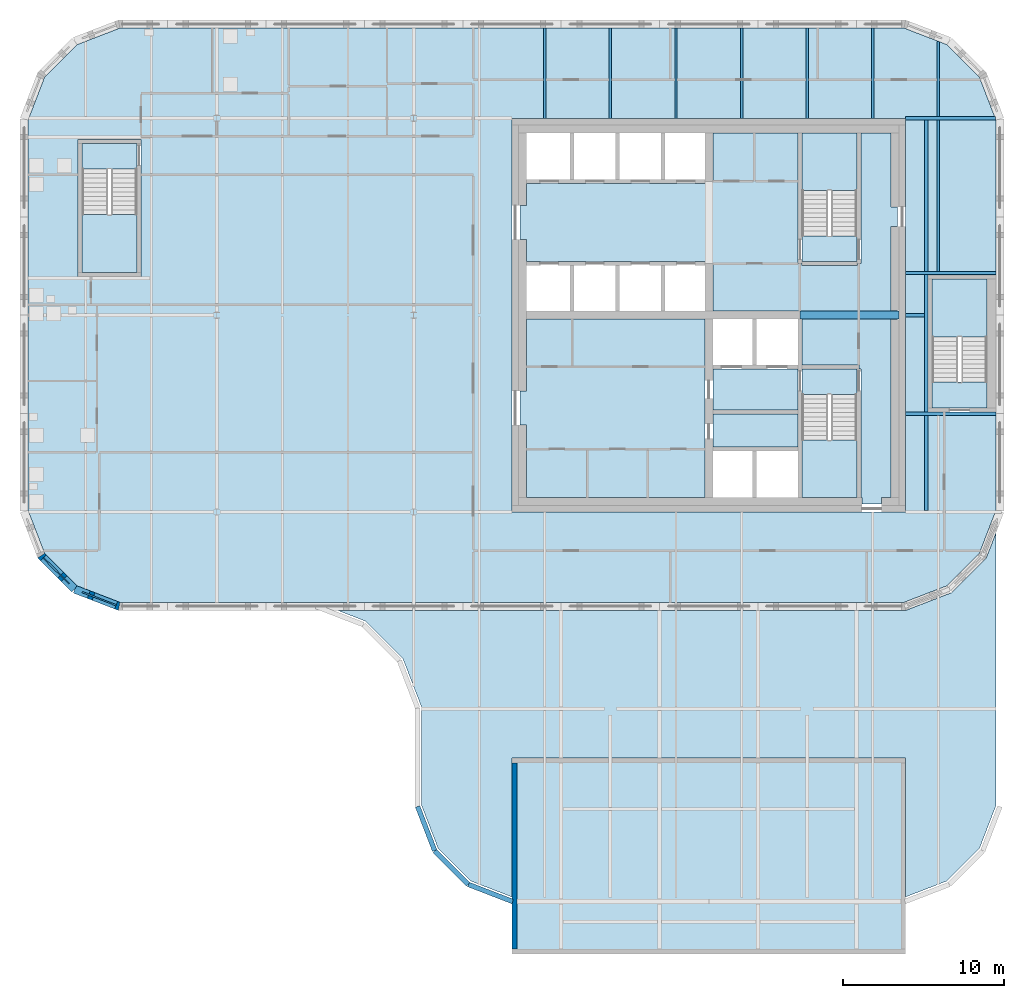
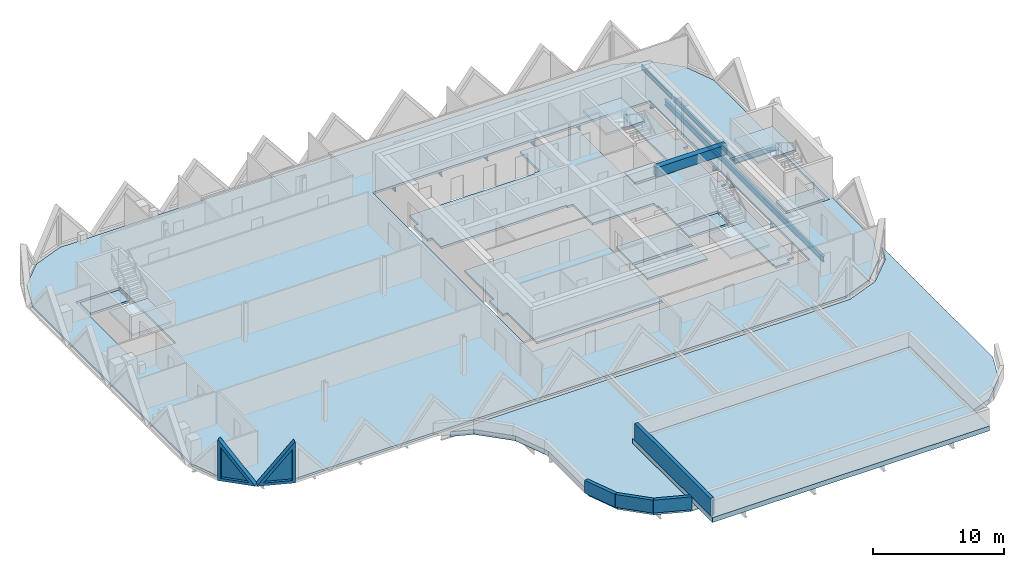
# One storey, part 3 of 12: 15 slabs, 14 beams, 6 walls, 2 plates, 2 openings, 4 elements without a shape of their own.
"""IFC4 building model written with IfcOpenShell, lengths in metres."""

from ifc_helpers import new_model, si_unit, direction, frame, frame_2d, origin, origin_2d, place, context, subcontext, project, spatial, polyline, rectangle, i_section, outline, extrude, faceted_brep, source, transform, mapped, material, layer, layer_set, material_profile, profile_set, type_object, element, fill, aggregate, save


model = new_model("IFC4")

# Units and contexts
model_context = context("Model", 3, precision=1e-05, world=origin(), true_north=direction((0.0, 1.0)))
body_context = subcontext(model_context, "Body", "Model", "MODEL_VIEW")
ifc_project = project(units=[si_unit("LENGTHUNIT", "METRE"), si_unit("AREAUNIT", "SQUARE_METRE"), si_unit("VOLUMEUNIT", "CUBIC_METRE"), si_unit("PLANEANGLEUNIT", "RADIAN"), si_unit("MASSUNIT", "GRAM", prefix="KILO")], contexts=[model_context])

# Site, building, storey
site_placement = place(None, origin())
site = spatial("IfcSite", under=ifc_project, at=site_placement, CompositionType="ELEMENT")
building_placement = place(site_placement, origin())
building = spatial("IfcBuilding", under=site, at=building_placement, Name="Tessera Gate Towers", CompositionType="ELEMENT")
storey_placement = place(building_placement, frame((0.0, 0.0, 236.89990234375)))
storey = spatial("IfcBuildingStorey", under=building, at=storey_placement, Name="L59", CompositionType="ELEMENT", Elevation=236.89990234375)

# Beams
ifc_material_1 = material(Name="Concrete C40/50", Category="concrete")
ifc_material_profile_1 = material_profile(ifc_material_1, rectangle(XDim=0.5, YDim=0.89990234375, at=origin_2d()), Name="RC 500x900")
ifc_profile_set_1 = profile_set([ifc_material_profile_1], Name="Concrete C40/50")
beam_type_1 = type_object("IfcBeamType", Name="COUPLING BEAM 500x900 C40/50", PredefinedType="BEAM", material=ifc_profile_set_1)
beam_1_placement = place(storey_placement, frame((48.35009765625, 36.60009765625, 3.150146484375), z_axis=(1.0, 0.0, 0.0), x_axis=(0.0, 1.0, 0.0)))
element("IfcBeam", 1, at=beam_1_placement, inside=storey, type_object=beam_type_1, Name="L59 coupling beam 1", PredefinedType="BEAM", context=body_context, shape_type="SweptSolid", body=[
    extrude(rectangle(XDim=0.5, YDim=0.89990234375, at=origin_2d()), origin(), (0.0, 0.0, 1.0), 6.14990234375),
])
ifc_material_2 = material(Name="Steel 350W", Category="steel")
ifc_material_profile_2 = material_profile(ifc_material_2, i_section(OverallWidth=0.208984375, OverallDepth=0.532958984375, WebThickness=0.01025390625, FlangeThickness=0.015625, at=origin_2d()), Name="W530x92")
ifc_profile_set_2 = profile_set([ifc_material_profile_2], Name="Steel 350W")
beam_type_2 = type_object("IfcBeamType", Name="FLOOR GIRDER W530x92", PredefinedType="BEAM", material=ifc_profile_set_2)
beam_2_placement = place(storey_placement, frame((54.89892578125, 36.60009765625, -0.46630859375), z_axis=(1.0, 0.0, 0.0), x_axis=(0.0, 1.0, 0.0)))
element("IfcBeam", 2, at=beam_2_placement, inside=storey, type_object=beam_type_2, Name="T1-GD-L59-5933", PredefinedType="BEAM", context=body_context, shape_type="SweptSolid", body=[
    extrude(i_section(OverallWidth=0.208984375, OverallDepth=0.532958984375, WebThickness=0.01025390625, FlangeThickness=0.015625, at=origin_2d()), origin(), (0.0, 0.0, 1.0), 1.176513671875),
])
beam_3_placement = place(storey_placement, frame((54.90087890625, 48.800048828125, -0.46630859375), z_axis=(1.0, 0.0, 0.0), x_axis=(0.0, 1.0, 0.0)))
element("IfcBeam", 3, at=beam_3_placement, inside=storey, type_object=beam_type_2, Name="T1-GD-L59-5937", PredefinedType="BEAM", context=body_context, shape_type="SweptSolid", body=[
    extrude(i_section(OverallWidth=0.208984375, OverallDepth=0.532958984375, WebThickness=0.01025390625, FlangeThickness=0.015625, at=origin_2d()), origin(), (0.0, 0.0, 1.0), 5.564208984375),
])
for number, where, z_axis, x_axis, name in (
    (4, (54.89892578125, 30.47998046875, -0.46630859375), (1.0, 0.0, 0.0), (0.0, 1.0, 0.0), "T1-GD-L59-5948"),
    (5, (54.89892578125, 39.219970703125, -0.46630859375), (1.0, 0.0, 0.0), (0.0, 1.0, 0.0), "T1-GD-L59-5949"),
):
    element("IfcBeam", number, at=place(storey_placement, frame(where, z_axis=z_axis, x_axis=x_axis)), inside=storey, type_object=beam_type_2, Name=name, PredefinedType="BEAM", context=body_context, shape_type="SweptSolid", body=[
        extrude(i_section(OverallWidth=0.208984375, OverallDepth=0.532958984375, WebThickness=0.01025390625, FlangeThickness=0.015625, at=origin_2d()), origin(), (0.0, 0.0, 1.0), 5.60205078125),
    ])
beam_4_placement = place(storey_placement, frame((56.179931640625, 24.50439453125, -0.46630859375), z_axis=(0.0, 1.0, 0.0), x_axis=(-1.0, 0.0, 0.0)))
element("IfcBeam", 6, at=beam_4_placement, inside=storey, type_object=beam_type_2, Name="T1-GD-L59-5950", PredefinedType="BEAM", context=body_context, shape_type="SweptSolid", body=[
    extrude(i_section(OverallWidth=0.208984375, OverallDepth=0.532958984375, WebThickness=0.01025390625, FlangeThickness=0.015625, at=origin_2d()), origin(), (0.0, 0.0, 1.0), 24.191162109375),
])
ifc_material_3 = material(Name="Steel 350W", Category="steel")
ifc_material_profile_3 = material_profile(ifc_material_3, i_section(OverallWidth=0.153076171875, OverallDepth=0.455078125, WebThickness=0.008056640625, FlangeThickness=0.01318359375, at=origin_2d()), Name="W460x60")
ifc_profile_set_3 = profile_set([ifc_material_profile_3], Name="Steel 350W")
beam_type_3 = type_object("IfcBeamType", Name="FLOOR SECONDARY W460x60", PredefinedType="BEAM", material=ifc_profile_set_3)
for number, where, z_axis, x_axis, name in (
    (7, (32.533203125, 48.800048828125, -0.427490234375), (0.0, 1.0, 0.0), (-1.0, 0.0, 0.0), "T1-BM-L59-5972"),
    (8, (36.60009765625, 48.800048828125, -0.427490234375), (0.0, 1.0, 0.0), (-1.0, 0.0, 0.0), "T1-BM-L59-5973"),
    (9, (40.666748046875, 48.800048828125, -0.427490234375), (0.0, 1.0, 0.0), (-1.0, 0.0, 0.0), "T1-BM-L59-5975"),
    (10, (44.7333984375, 48.800048828125, -0.427490234375), (0.0, 1.0, 0.0), (-1.0, 0.0, 0.0), "T1-BM-L59-5977"),
    (11, (48.800048828125, 48.800048828125, -0.427490234375), (0.0, 1.0, 0.0), (-1.0, 0.0, 0.0), "T1-BM-L59-5978"),
    (12, (52.86669921875, 48.800048828125, -0.427490234375), (0.0, 1.0, 0.0), (-1.0, 0.0, 0.0), "T1-BM-L59-5980"),
):
    element("IfcBeam", number, at=place(storey_placement, frame(where, z_axis=z_axis, x_axis=x_axis)), inside=storey, type_object=beam_type_3, Name=name, PredefinedType="BEAM", context=body_context, shape_type="SweptSolid", body=[
        extrude(i_section(OverallWidth=0.153076171875, OverallDepth=0.455078125, WebThickness=0.008056640625, FlangeThickness=0.01318359375, at=origin_2d()), origin(), (0.0, 0.0, 1.0), 5.599853515625),
    ])
beam_5_placement = place(storey_placement, frame((56.933349609375, 39.324462890625, -0.427490234375), z_axis=(0.0, 1.0, 0.0), x_axis=(-1.0, 0.0, 0.0)))
element("IfcBeam", 13, at=beam_5_placement, inside=storey, type_object=beam_type_3, Name="T1-BM-L59-5983", PredefinedType="BEAM", context=body_context, shape_type="SweptSolid", body=[
    extrude(i_section(OverallWidth=0.153076171875, OverallDepth=0.455078125, WebThickness=0.008056640625, FlangeThickness=0.01318359375, at=origin_2d()), origin(), (0.0, 0.0, 1.0), 9.37109375),
])
beam_6_placement = place(storey_placement, frame((56.933349609375, 48.904541015625, -0.427490234375), z_axis=(0.0, 1.0, 0.0), x_axis=(-1.0, 0.0, 0.0)))
element("IfcBeam", 14, at=beam_6_placement, inside=storey, type_object=beam_type_3, Name="T1-BM-L59-5984", PredefinedType="BEAM", context=body_context, shape_type="SweptSolid", body=[
    extrude(i_section(OverallWidth=0.153076171875, OverallDepth=0.455078125, WebThickness=0.008056640625, FlangeThickness=0.01318359375, at=origin_2d()), origin(), (0.0, 0.0, 1.0), 4.675048828125),
])

# Slabs
ifc_material_4 = material(Name="Concrete C35/45", Category="concrete")
ifc_layer_1 = layer(ifc_material_4, 0.199951171875)
ifc_layer_set_1 = layer_set([ifc_layer_1], Name="COMPOSITE FLOOR 200")
slab_type_1 = type_object("IfcSlabType", Name="COMPOSITE FLOOR 200", PredefinedType="FLOOR", material=ifc_layer_set_1)
slab_1_placement = place(storey_placement, frame((0.0, 0.0, -0.199951171875)))
element("IfcSlab", 15, at=slab_1_placement, inside=storey, type_object=slab_type_1, Name="T1-L59", PredefinedType="FLOOR", context=body_context, shape_type="SweptSolid", body=[
    extrude(outline(polyline([(0.5, 24.4931640625), (1.526123046875, 21.8330078125), (3.533203125, 19.826171875), (6.193115234375, 18.800048828125), (54.806884765625, 18.800048828125), (57.466796875, 19.826171875), (59.473876953125, 21.8330078125), (60.5, 24.4931640625), (60.5, 48.706787109375), (59.473876953125, 51.366943359375), (57.466796875, 53.373779296875), (54.806884765625, 54.39990234375), (6.193115234375, 54.39990234375), (3.533203125, 53.373779296875), (1.526123046875, 51.366943359375), (0.5, 48.706787109375), (0.5, 24.4931640625)]), holes=[polyline([(3.60009765625, 39.0), (3.60009765625, 47.5), (7.5, 47.5), (7.5, 39.0), (3.60009765625, 39.0)]), polyline([(30.5, 24.39990234375), (30.5, 48.800048828125), (54.89990234375, 48.800048828125), (54.89990234375, 24.39990234375), (30.5, 24.39990234375)]), polyline([(56.300048828125, 30.60009765625), (56.300048828125, 39.10009765625), (60.199951171875, 39.10009765625), (60.199951171875, 30.60009765625), (56.300048828125, 30.60009765625)])]), origin(), (0.0, 0.0, 1.0), 0.199951171875),
])
ifc_material_5 = material(Name="Concrete C40/50", Category="concrete")
ifc_layer_2 = layer(ifc_material_5, 0.449951171875)
ifc_layer_set_2 = layer_set([ifc_layer_2], Name="COMPOSITE FLOOR 450")
slab_type_2 = type_object("IfcSlabType", Name="COMPOSITE FLOOR 450", PredefinedType="FLOOR", material=ifc_layer_set_2)
slab_2_placement = place(storey_placement, frame((0.0, 0.0, 0.68798828125)))
element("IfcSlab", 16, at=slab_2_placement, inside=storey, type_object=slab_type_2, Name="T1-POOL-BASE", PredefinedType="FLOOR", context=body_context, shape_type="SweptSolid", body=[
    extrude(outline(polyline([(30.5, -3.0), (54.89990234375, -3.0), (54.89990234375, 9.14990234375), (30.5, 9.14990234375), (30.5, -3.0)])), origin(), (0.0, 0.0, 1.0), 0.4501953125),
])
ifc_material_6 = material(Name="Concrete C35/45", Category="concrete")
ifc_layer_3 = layer(ifc_material_6, 0.199951171875)
ifc_layer_set_3 = layer_set([ifc_layer_3], Name="CORE FLOOR SLAB 200")
slab_type_3 = type_object("IfcSlabType", Name="CORE FLOOR SLAB 200", PredefinedType="FLOOR", material=ifc_layer_set_3)
slab_3_placement = place(storey_placement, frame((0.0, 0.0, -0.199951171875)))
element("IfcSlab", 17, at=slab_3_placement, inside=storey, type_object=slab_type_3, Name="L59 core floor slab", PredefinedType="FLOOR", context=body_context, shape_type="SweptSolid", body=[
    extrude(outline(polyline([(42.449951171875, 44.89990234375), (42.449951171875, 44.77490234375), (31.39990234375, 44.77490234375), (31.39990234375, 43.39990234375), (31.0, 43.39990234375), (31.0, 41.300048828125), (31.39990234375, 41.300048828125), (31.39990234375, 39.925048828125), (42.449951171875, 39.925048828125), (42.449951171875, 39.800048828125), (42.949951171875, 39.800048828125), (42.949951171875, 36.85009765625), (48.35009765625, 36.85009765625), (48.35009765625, 36.35009765625), (48.47509765625, 36.35009765625), (48.47509765625, 33.52490234375), (52.0, 33.52490234375), (52.0, 33.27490234375), (52.125, 33.27490234375), (52.125, 25.300048828125), (52.199951171875, 25.300048828125), (52.199951171875, 24.89990234375), (53.39990234375, 24.89990234375), (53.39990234375, 25.300048828125), (54.0, 25.300048828125), (54.0, 36.320068359375), (54.39990234375, 36.320068359375), (54.39990234375, 36.8798828125), (54.0, 36.8798828125), (54.0, 42.10009765625), (54.39990234375, 42.10009765625), (54.39990234375, 43.300048828125), (54.0, 43.300048828125), (54.0, 47.89990234375), (52.125, 47.89990234375), (52.125, 39.800048828125), (51.875, 39.800048828125), (51.875, 39.675048828125), (48.47509765625, 39.675048828125), (48.47509765625, 39.800048828125), (48.22509765625, 39.800048828125), (48.22509765625, 47.89990234375), (42.949951171875, 47.89990234375), (42.949951171875, 44.89990234375), (42.449951171875, 44.89990234375)])), origin(), (0.0, 0.0, 1.0), 0.199951171875),
])
slab_4_placement = place(storey_placement, frame((0.0, 0.0, -0.199951171875)))
element("IfcSlab", 18, at=slab_4_placement, inside=storey, type_object=slab_type_3, Name="L59 core floor slab", PredefinedType="FLOOR", context=body_context, shape_type="SweptSolid", body=[
    extrude(outline(polyline([(31.39990234375, 36.35009765625), (31.39990234375, 31.89990234375), (31.0, 31.89990234375), (31.0, 29.800048828125), (31.39990234375, 29.800048828125), (31.39990234375, 25.300048828125), (42.449951171875, 25.300048828125), (42.449951171875, 36.35009765625), (31.39990234375, 36.35009765625)])), origin(), (0.0, 0.0, 1.0), 0.199951171875),
])
slab_5_placement = place(storey_placement, frame((0.0, 0.0, -0.199951171875)))
element("IfcSlab", 19, at=slab_5_placement, inside=storey, type_object=slab_type_3, Name="L59 core floor slab", PredefinedType="FLOOR", context=body_context, shape_type="SweptSolid", body=[
    extrude(outline(polyline([(42.949951171875, 33.27490234375), (42.949951171875, 30.72509765625), (48.22509765625, 30.72509765625), (48.22509765625, 33.27490234375), (42.949951171875, 33.27490234375)])), origin(), (0.0, 0.0, 1.0), 0.199951171875),
])
slab_6_placement = place(storey_placement, frame((0.0, 0.0, -0.199951171875)))
element("IfcSlab", 20, at=slab_6_placement, inside=storey, type_object=slab_type_3, Name="L59 core floor slab", PredefinedType="FLOOR", context=body_context, shape_type="SweptSolid", body=[
    extrude(outline(polyline([(48.22509765625, 30.47509765625), (42.949951171875, 30.47509765625), (42.949951171875, 28.425048828125), (48.22509765625, 28.425048828125), (48.22509765625, 30.47509765625)])), origin(), (0.0, 0.0, 1.0), 0.199951171875),
])
slab_7_placement = place(storey_placement, frame((0.0, 0.0, -0.199951171875)))
element("IfcSlab", 21, at=slab_7_placement, inside=storey, type_object=slab_type_3, Name="L59 core floor slab", PredefinedType="FLOOR", context=body_context, shape_type="SweptSolid", body=[
    extrude(outline(polyline([(51.875, 31.675048828125), (51.875, 33.27490234375), (48.47509765625, 33.27490234375), (48.47509765625, 31.675048828125), (51.875, 31.675048828125)])), origin(), (0.0, 0.0, 1.0), 0.199951171875),
])
slab_8_placement = place(storey_placement, frame((0.0, 0.0, -0.199951171875)))
element("IfcSlab", 22, at=slab_8_placement, inside=storey, type_object=slab_type_3, Name="L59 core floor slab", PredefinedType="FLOOR", context=body_context, shape_type="SweptSolid", body=[
    extrude(outline(polyline([(48.47509765625, 41.52490234375), (48.47509765625, 39.925048828125), (51.875, 39.925048828125), (51.875, 41.52490234375), (48.47509765625, 41.52490234375)])), origin(), (0.0, 0.0, 1.0), 0.199951171875),
])
slab_9_placement = place(storey_placement, frame((0.0, 0.0, -0.199951171875)))
element("IfcSlab", 23, at=slab_9_placement, inside=storey, type_object=slab_type_3, Name="L59 ST3 floor landing", PredefinedType="FLOOR", context=body_context, shape_type="SweptSolid", body=[
    extrude(outline(polyline([(3.85009765625, 47.25), (3.85009765625, 45.64990234375), (7.25, 45.64990234375), (7.25, 47.25), (3.85009765625, 47.25)])), origin(), (0.0, 0.0, 1.0), 0.199951171875),
])
slab_10_placement = place(storey_placement, frame((0.0, 0.0, -0.199951171875)))
element("IfcSlab", 24, at=slab_10_placement, inside=storey, type_object=slab_type_3, Name="L59 ST5 floor landing", PredefinedType="FLOOR", context=body_context, shape_type="SweptSolid", body=[
    extrude(outline(polyline([(59.949951171875, 30.85009765625), (59.949951171875, 32.449951171875), (56.550048828125, 32.449951171875), (56.550048828125, 30.85009765625), (59.949951171875, 30.85009765625)])), origin(), (0.0, 0.0, 1.0), 0.199951171875),
])

# Stair, slab
ifc_material_7 = material(Name="Concrete C40/50", Category="concrete")
stair_type_1 = type_object("IfcStairType", Name="EXIT STAIR ST1 1600", PredefinedType="HALF_TURN_STAIR", material=ifc_material_7)
stair_1_placement = place(storey_placement, origin())
stair_1 = element("IfcStair", 25, at=stair_1_placement, inside=storey, type_object=stair_type_1, Name="L59 Protected Exit Stair ST1", PredefinedType="HALF_TURN_STAIR")
ifc_material_8 = material(Name="Concrete C40/50", Category="concrete")
ifc_layer_4 = layer(ifc_material_8, 0.199951171875)
ifc_layer_set_4 = layer_set([ifc_layer_4], Name="EXIT STAIR LANDING 200")
slab_type_4 = type_object("IfcSlabType", Name="EXIT STAIR LANDING 200", PredefinedType="LANDING", material=ifc_layer_set_4)
slab_11_placement = place(storey_placement, frame((0.0, 0.0, 1.7001953125)))
slab_11 = element("IfcSlab", 26, at=slab_11_placement, type_object=slab_type_4, Name="ST1 landing 1", PredefinedType="LANDING", context=body_context, shape_type="SweptSolid", body=[
    extrude(outline(polyline([(48.47509765625, 28.875), (48.47509765625, 25.300048828125), (51.875, 25.300048828125), (51.875, 28.875), (48.47509765625, 28.875)])), origin(), (0.0, 0.0, 1.0), 0.199951171875),
])
aggregate(stair_1, [slab_11])

ifc_material_9 = material(Name="Concrete C40/50", Category="concrete")
stair_type_2 = type_object("IfcStairType", Name="EXIT STAIR ST2 1600", PredefinedType="HALF_TURN_STAIR", material=ifc_material_9)
stair_2_placement = place(storey_placement, origin())
stair_2 = element("IfcStair", 27, at=stair_2_placement, inside=storey, type_object=stair_type_2, Name="L59 Protected Exit Stair ST2", PredefinedType="HALF_TURN_STAIR")
slab_12_placement = place(storey_placement, frame((0.0, 0.0, 1.7001953125)))
slab_12 = element("IfcSlab", 28, at=slab_12_placement, type_object=slab_type_4, Name="ST2 landing 1", PredefinedType="LANDING", context=body_context, shape_type="SweptSolid", body=[
    extrude(outline(polyline([(51.875, 44.324951171875), (51.875, 47.89990234375), (48.47509765625, 47.89990234375), (48.47509765625, 44.324951171875), (51.875, 44.324951171875)])), origin(), (0.0, 0.0, 1.0), 0.199951171875),
])
aggregate(stair_2, [slab_12])

ifc_material_10 = material(Name="Concrete C40/50", Category="concrete")
stair_type_3 = type_object("IfcStairType", Name="EXIT STAIR ST3 1600", PredefinedType="HALF_TURN_STAIR", material=ifc_material_10)
stair_3_placement = place(storey_placement, origin())
stair_3 = element("IfcStair", 29, at=stair_3_placement, inside=storey, type_object=stair_type_3, Name="L59 West Exit Stair ST3", PredefinedType="HALF_TURN_STAIR")
slab_13_placement = place(storey_placement, frame((0.0, 0.0, 1.7001953125)))
slab_13 = element("IfcSlab", 30, at=slab_13_placement, type_object=slab_type_4, Name="ST3 landing 1", PredefinedType="LANDING", context=body_context, shape_type="SweptSolid", body=[
    extrude(outline(polyline([(3.85009765625, 42.85009765625), (3.85009765625, 39.25), (7.25, 39.25), (7.25, 42.85009765625), (3.85009765625, 42.85009765625)])), origin(), (0.0, 0.0, 1.0), 0.199951171875),
])
aggregate(stair_3, [slab_13])

ifc_material_11 = material(Name="Concrete C40/50", Category="concrete")
stair_type_4 = type_object("IfcStairType", Name="EXIT STAIR ST5 1600", PredefinedType="HALF_TURN_STAIR", material=ifc_material_11)
stair_4_placement = place(storey_placement, origin())
stair_4 = element("IfcStair", 31, at=stair_4_placement, inside=storey, type_object=stair_type_4, Name="L59 East Exit Stair ST5", PredefinedType="HALF_TURN_STAIR")
slab_14_placement = place(storey_placement, frame((0.0, 0.0, 1.7001953125)))
slab_14 = element("IfcSlab", 32, at=slab_14_placement, type_object=slab_type_4, Name="ST5 landing 1", PredefinedType="LANDING", context=body_context, shape_type="SweptSolid", body=[
    extrude(outline(polyline([(59.949951171875, 35.25), (59.949951171875, 38.85009765625), (56.550048828125, 38.85009765625), (56.550048828125, 35.25), (59.949951171875, 35.25)])), origin(), (0.0, 0.0, 1.0), 0.199951171875),
])
aggregate(stair_4, [slab_14])

# Slab
ifc_material_12 = material(Name="Concrete C35/45", Category="concrete")
ifc_layer_5 = layer(ifc_material_12, 0.449951171875)
ifc_layer_set_5 = layer_set([ifc_layer_5], Name="ROOF SLAB 450")
slab_type_5 = type_object("IfcSlabType", Name="ROOF SLAB 450", PredefinedType="ROOF", material=ifc_layer_set_5)
slab_15_placement = place(storey_placement, frame((0.0, 0.0, -0.449951171875)))
element("IfcSlab", 33, at=slab_15_placement, inside=storey, type_object=slab_type_5, Name="T1-TERRACE", PredefinedType="ROOF", context=body_context, shape_type="SweptSolid", body=[
    extrude(outline(polyline([(19.689208984375, 18.300048828125), (21.42431640625, 17.630615234375), (23.730712890625, 15.32421875), (24.89990234375, 12.293212890625), (24.89990234375, 6.193115234375), (25.926025390625, 3.533203125), (27.93310546875, 1.526123046875), (30.593017578125, 0.5), (54.806884765625, 0.5), (57.466796875, 1.526123046875), (59.473876953125, 3.533203125), (60.5, 6.193115234375), (60.5, 23.103759765625), (59.90234375, 21.554443359375), (57.74560546875, 19.397705078125), (54.89990234375, 18.300048828125), (19.689208984375, 18.300048828125)])), origin(), (0.0, 0.0, 1.0), 0.449951171875),
])

# Wall
ifc_material_13 = material(Name="Concrete C40/50", Category="concrete")
ifc_layer_6 = layer(ifc_material_13, 0.300048828125)
ifc_layer_set_6 = layer_set([ifc_layer_6], Name="POOL WALL 300 C40/50")
wall_type_1 = type_object("IfcWallType", Name="POOL WALL 300 C40/50", PredefinedType="SOLIDWALL", material=ifc_layer_set_6)
wall_1_placement = place(storey_placement, frame((30.64990234375, -2.699951171875, 1.13818359375), z_axis=(0.0, 0.0, 1.0), x_axis=(0.0, 1.0, 0.0)))
element("IfcWall", 34, at=wall_1_placement, inside=storey, type_object=wall_type_1, Name="T1-POOL-WALL-W", PredefinedType="SOLIDWALL", context=body_context, shape_type="SweptSolid", body=[
    extrude(rectangle(XDim=11.550048828125, YDim=0.300048828125, at=frame_2d((5.77490234375, 0.0))), origin(), (0.0, 0.0, 1.0), 1.599853515625),
])

# Wall, opening, plate
ifc_material_14 = material(Name="Precast concrete C60/75 white", Category="concrete")
ifc_layer_7 = layer(ifc_material_14, 0.5)
ifc_layer_set_7 = layer_set([ifc_layer_7], Name="TS3 corner tessera")
wall_type_2 = type_object("IfcWallType", Name="TS3 corner tessera", PredefinedType="SOLIDWALL", material=ifc_layer_set_7)
shared_shape_1 = source(origin(), body_context, "Body", "Brep", [
    faceted_brep([(2.9970703125, -0.25, 3.740966796875), (2.950439453125, -0.25, 3.800048828125), (0.0, -0.25, 0.0), (2.9970703125, -0.25, 0.0), (0.052978515625, 0.25, 0.068115234375), (2.904052734375, 0.25, 3.740234375), (2.904052734375, 0.25, 0.0), (0.052978515625, 0.25, 0.0), (2.950439453125, 0.00048828125, 3.800048828125), (0.0, 0.0, 0.0)], [[[0, 1, 2, 3]], [[4, 5, 6, 7]], [[8, 1, 0]], [[5, 4, 9, 2, 1, 8]], [[7, 6, 3, 2, 9]], [[7, 9, 4]], [[3, 6, 5, 8, 0]]]),
])
wall_2_placement = place(storey_placement, frame((3.393798828125, 19.61181640625, 0.0), z_axis=(0.0, 0.0, 1.0), x_axis=(0.932990326376, -0.359901446078, 0.0)))
wall_2 = element("IfcWall", 35, at=wall_2_placement, inside=storey, type_object=wall_type_2, Name="Precast corner tessera T1 TS3-1370", PredefinedType="SOLIDWALL", context=body_context, shape_type="MappedRepresentation", body=[
    mapped(shared_shape_1, transform((0.0, 0.0, 0.0), scale=1.0)),
])
shared_shape_2 = source(origin(), body_context, "Body", "SweptSolid", [
    extrude(outline(polyline([(2.75048828125, 3.134765625), (0.5107421875, 0.25), (2.75048828125, 0.25), (2.75048828125, 3.134765625)])), frame((0.0, 0.260009765625, 0.0), z_axis=(0.0, -1.0, 0.0), x_axis=(1.0, 0.0, 0.0)), (0.0, 0.0, 1.0), 0.52001953125),
])
opening_1_placement = place(wall_2_placement, origin())
opening_1 = element("IfcOpeningElement", 36, at=opening_1_placement, cuts=wall_2, Name="Opening T1-PL1-0571", PredefinedType="OPENING", context=body_context, shape_type="MappedRepresentation", body=[
    mapped(shared_shape_2, transform((0.0, 0.0, 0.0), scale=1.0)),
])
ifc_material_15 = material(Name="Low-e laminated glass", Category="glass")
ifc_layer_8 = layer(ifc_material_15, 0.06005859375)
ifc_layer_set_8 = layer_set([ifc_layer_8], Name="PL1 triangular pane")
plate_type = type_object("IfcPlateType", Name="PL1 triangular pane", PredefinedType="SHEET", material=ifc_layer_set_8)
shared_shape_3 = source(origin(), body_context, "Body", "SweptSolid", [
    extrude(outline(polyline([(2.75048828125, 3.134765625), (0.5107421875, 0.25), (2.75048828125, 0.25), (2.75048828125, 3.134765625)])), frame((0.0, 0.030029296875, 0.0), z_axis=(0.0, -1.0, 0.0), x_axis=(1.0, 0.0, 0.0)), (0.0, 0.0, 1.0), 0.06005859375),
])
plate_1_placement = place(opening_1_placement, origin())
plate_1 = element("IfcPlate", 37, at=plate_1_placement, inside=storey, type_object=plate_type, Name="Glass pane T1 PL1-0571", PredefinedType="SHEET", context=body_context, shape_type="MappedRepresentation", body=[
    mapped(shared_shape_3, transform((0.0, 0.0, 0.0), scale=1.0)),
])
fill(opening_1, plate_1)

shared_shape_4 = source(origin(), body_context, "Body", "Brep", [
    faceted_brep([(2.9970703125, -0.25, 0.0), (0.052978515625, -0.25, 3.800048828125), (0.0, -0.25, 3.73193359375), (0.0, -0.25, 0.0), (0.10595703125, 0.25, 3.731689453125), (2.944091796875, 0.25, 0.068115234375), (2.944091796875, 0.25, 0.0), (0.10595703125, 0.25, 0.0), (0.052978515625, 0.0, 3.800048828125), (2.9970703125, 0.000244140625, 0.0)], [[[0, 1, 2, 3]], [[4, 5, 6, 7]], [[5, 4, 8, 1, 0, 9]], [[2, 1, 8]], [[7, 6, 9, 0, 3]], [[7, 3, 2, 8, 4]], [[9, 6, 5]]]),
])
wall_3_placement = place(storey_placement, frame((1.2744140625, 21.731201171875, 0.0), z_axis=(0.0, 0.0, 1.0), x_axis=(0.707147509625, -0.707066050402, 0.0)))
wall_3 = element("IfcWall", 38, at=wall_3_placement, inside=storey, type_object=wall_type_2, Name="Precast corner tessera T1 TS3-1384", PredefinedType="SOLIDWALL", context=body_context, shape_type="MappedRepresentation", body=[
    mapped(shared_shape_4, transform((0.0, 0.0, 0.0), scale=1.0)),
])
shared_shape_5 = source(origin(), body_context, "Body", "SweptSolid", [
    extrude(outline(polyline([(2.487060546875, 0.25), (0.2529296875, 3.1337890625), (0.2529296875, 0.25), (2.487060546875, 0.25)])), frame((0.0, 0.260009765625, 0.0), z_axis=(0.0, -1.0, 0.0), x_axis=(1.0, 0.0, 0.0)), (0.0, 0.0, 1.0), 0.52001953125),
])
opening_2_placement = place(wall_3_placement, origin())
opening_2 = element("IfcOpeningElement", 39, at=opening_2_placement, cuts=wall_3, Name="Opening T1-PL1-0607", PredefinedType="OPENING", context=body_context, shape_type="MappedRepresentation", body=[
    mapped(shared_shape_5, transform((0.0, 0.0, 0.0), scale=1.0)),
])
shared_shape_6 = source(origin(), body_context, "Body", "SweptSolid", [
    extrude(outline(polyline([(2.487060546875, 0.25), (0.2529296875, 3.1337890625), (0.2529296875, 0.25), (2.487060546875, 0.25)])), frame((0.0, 0.030029296875, 0.0), z_axis=(0.0, -1.0, 0.0), x_axis=(1.0, 0.0, 0.0)), (0.0, 0.0, 1.0), 0.06005859375),
])
plate_2_placement = place(opening_2_placement, origin())
plate_2 = element("IfcPlate", 40, at=plate_2_placement, inside=storey, type_object=plate_type, Name="Glass pane T1 PL1-0607", PredefinedType="SHEET", context=body_context, shape_type="MappedRepresentation", body=[
    mapped(shared_shape_6, transform((0.0, 0.0, 0.0), scale=1.0)),
])
fill(opening_2, plate_2)

# Walls
ifc_material_16 = material(Name="Precast concrete C60/75 white", Category="concrete")
ifc_layer_9 = layer(ifc_material_16, 0.300048828125)
ifc_layer_set_9 = layer_set([ifc_layer_9], Name="PR1 parapet wall")
wall_type_3 = type_object("IfcWallType", Name="PR1 parapet wall", PredefinedType="PARAPET", material=ifc_layer_set_9)
shared_shape_7 = source(origin(), body_context, "Body", "Brep", [
    faceted_brep([(0.0, -0.14990234375, 0.0), (2.950439453125, -0.14990234375, 0.0), (2.950439453125, -0.14990234375, 1.2001953125), (0.0, -0.14990234375, 1.2001953125), (0.02783203125, 0.14990234375, 1.2001953125), (2.918701171875, 0.14990234375, 1.2001953125), (2.918701171875, 0.14990234375, 0.0), (0.02783203125, 0.14990234375, 0.0), (2.950439453125, 0.00048828125, 0.0), (0.0, 0.0, 0.0), (2.950439453125, 0.00048828125, 1.2001953125), (0.0, 0.0, 1.2001953125)], [[[0, 1, 2, 3]], [[4, 5, 6, 7]], [[7, 6, 8, 1, 0, 9]], [[10, 2, 1, 8]], [[5, 4, 11, 3, 2, 10]], [[9, 0, 3, 11]], [[7, 9, 11, 4]], [[8, 6, 5, 10]]]),
])
wall_4_placement = place(storey_placement, frame((24.64990234375, 6.146484375, 0.0), z_axis=(0.0, 0.0, 1.0), x_axis=(0.359949242603, -0.932971887438, 0.0)))
element("IfcWall", 41, at=wall_4_placement, inside=storey, type_object=wall_type_3, Name="Parapet T1 PR1-0010", PredefinedType="PARAPET", context=body_context, shape_type="MappedRepresentation", body=[
    mapped(shared_shape_7, transform((0.0, 0.0, 0.0), scale=1.0)),
])
shared_shape_8 = source(origin(), body_context, "Body", "Brep", [
    faceted_brep([(0.0, -0.14990234375, 0.0), (2.944091796875, -0.14990234375, 0.0), (2.944091796875, -0.14990234375, 1.2001953125), (0.0, -0.14990234375, 1.2001953125), (0.03173828125, 0.14990234375, 1.2001953125), (2.912353515625, 0.14990234375, 1.2001953125), (2.912353515625, 0.14990234375, 0.0), (0.03173828125, 0.14990234375, 0.0), (2.944091796875, 0.000244140625, 0.0), (0.0, 0.0, 0.0), (2.944091796875, 0.000244140625, 1.2001953125), (0.0, 0.0, 1.2001953125)], [[[0, 1, 2, 3]], [[4, 5, 6, 7]], [[7, 6, 8, 1, 0, 9]], [[10, 2, 1, 8]], [[5, 4, 11, 3, 2, 10]], [[9, 0, 3, 11]], [[7, 9, 11, 4]], [[8, 6, 5, 10]]]),
])
wall_5_placement = place(storey_placement, frame((25.7119140625, 3.393798828125, 0.0), z_axis=(0.0, 0.0, 1.0), x_axis=(0.707106781187, -0.707106781187, 0.0)))
element("IfcWall", 42, at=wall_5_placement, inside=storey, type_object=wall_type_3, Name="Parapet T1 PR1-0011", PredefinedType="PARAPET", context=body_context, shape_type="MappedRepresentation", body=[
    mapped(shared_shape_8, transform((0.0, 0.0, 0.0), scale=1.0)),
])
shared_shape_9 = source(origin(), body_context, "Body", "Brep", [
    faceted_brep([(0.0, -0.14990234375, 0.0), (2.950439453125, -0.14990234375, 0.0), (2.950439453125, -0.14990234375, 1.2001953125), (0.0, -0.14990234375, 1.2001953125), (0.03173828125, 0.14990234375, 1.2001953125), (2.922607421875, 0.14990234375, 1.2001953125), (2.922607421875, 0.14990234375, 0.0), (0.03173828125, 0.14990234375, 0.0), (2.950439453125, 0.00048828125, 0.0), (0.0, 0.0, 0.0), (2.950439453125, 0.00048828125, 1.2001953125), (0.0, 0.0, 1.2001953125)], [[[0, 1, 2, 3]], [[4, 5, 6, 7]], [[7, 6, 8, 1, 0, 9]], [[10, 2, 1, 8]], [[5, 4, 11, 3, 2, 10]], [[9, 0, 3, 11]], [[7, 9, 11, 4]], [[8, 6, 5, 10]]]),
])
wall_6_placement = place(storey_placement, frame((27.793701171875, 1.31201171875, 0.0), z_axis=(0.0, 0.0, 1.0), x_axis=(0.932971887438, -0.359949242603, 0.0)))
element("IfcWall", 43, at=wall_6_placement, inside=storey, type_object=wall_type_3, Name="Parapet T1 PR1-0012", PredefinedType="PARAPET", context=body_context, shape_type="MappedRepresentation", body=[
    mapped(shared_shape_9, transform((0.0, 0.0, 0.0), scale=1.0)),
])

save(model, "model.ifc")
